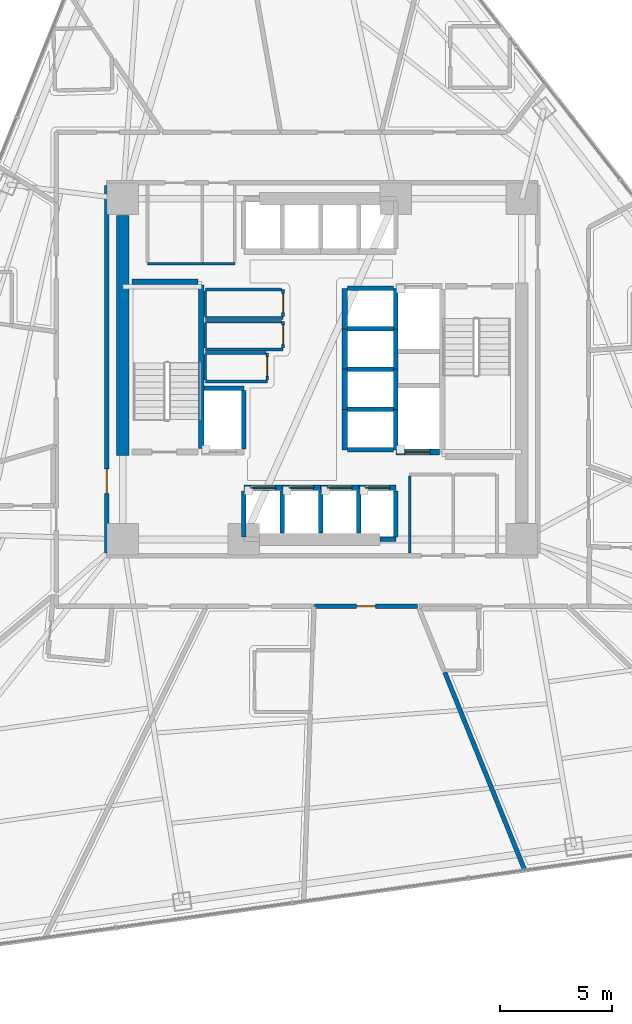
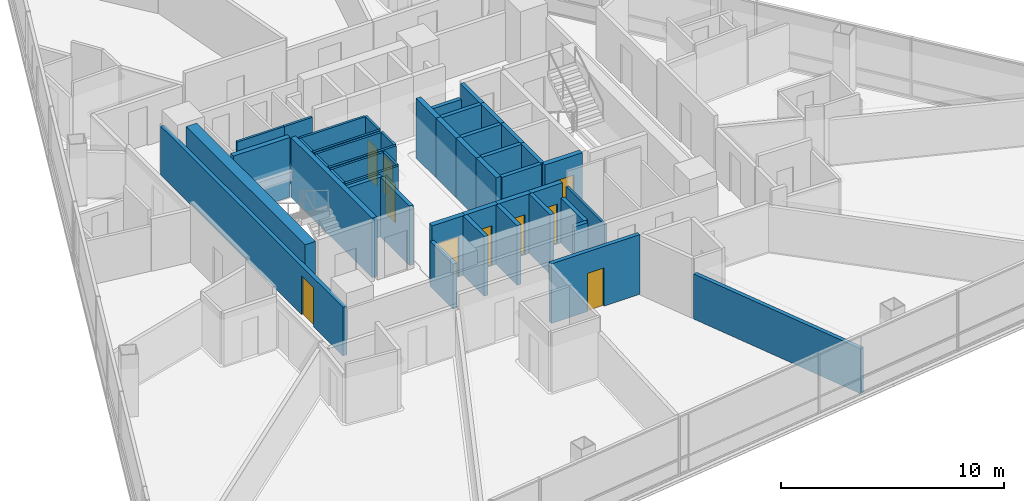
# One storey, part 8 of 16: 47 walls, 10 doors, 10 openings.
"""IFC4 building model written with IfcOpenShell, lengths in metres."""

from ifc_helpers import new_model, si_unit, direction, frame, frame_2d, origin, place, context, subcontext, project, spatial, rectangle, extrude, material, layer, layer_set, type_object, element, fill, save


model = new_model("IFC4")

# Units and contexts
model_context = context("Model", 3, precision=1e-05, world=origin(), true_north=direction((0.0, 1.0)))
body_context = subcontext(model_context, "Body", "Model", "MODEL_VIEW")
ifc_project = project(units=[si_unit("LENGTHUNIT", "METRE"), si_unit("AREAUNIT", "SQUARE_METRE"), si_unit("VOLUMEUNIT", "CUBIC_METRE"), si_unit("PLANEANGLEUNIT", "RADIAN"), si_unit("MASSUNIT", "GRAM", prefix="KILO")], contexts=[model_context])

# Site, building, storey
site_placement = place(None, origin())
site = spatial("IfcSite", under=ifc_project, at=site_placement, CompositionType="ELEMENT")
building_placement = place(site_placement, origin())
building = spatial("IfcBuilding", under=site, at=building_placement, Name="Tharavind Bronze Gate", CompositionType="ELEMENT")
storey_placement = place(building_placement, frame((0.0, 0.0, 70.75)))
storey = spatial("IfcBuildingStorey", under=building, at=storey_placement, Name="L17", CompositionType="ELEMENT", Elevation=70.75)

# Wall, opening, door
ifc_material_1 = material(Name="Aerated Concrete Block", Category="concrete")
ifc_layer_1 = layer(ifc_material_1, 0.199951171875)
ifc_layer_set_1 = layer_set([ifc_layer_1], Name="Aerated Concrete Block")
wall_type_1 = type_object("IfcWallType", Name="FIRE RATED PARTITION 200", PredefinedType="PARTITIONING", material=ifc_layer_set_1)
wall_1_placement = place(storey_placement, frame((-9.6201171875, 8.199951171875, 0.0), z_axis=(0.0, 0.0, 1.0), x_axis=(0.0, -1.0, 0.0)))
wall_1 = element("IfcWall", 1, at=wall_1_placement, inside=storey, type_object=wall_type_1, Name="L17 west core corridor wall", PredefinedType="PARTITIONING", context=body_context, shape_type="SweptSolid", body=[
    extrude(rectangle(XDim=16.39990234375, YDim=0.199951171875, at=frame_2d((8.199951171875, 0.0))), origin(), (0.0, 0.0, 1.0), 2.669921875),
])
opening_1_placement = place(wall_1_placement, frame((12.64990234375, 0.0, 0.0)))
opening_1 = element("IfcOpeningElement", 2, at=opening_1_placement, cuts=wall_1, Name="Opening ID01", PredefinedType="OPENING", context=body_context, shape_type="SweptSolid", body=[
    extrude(rectangle(XDim=1.10009765625, YDim=2.14990234375, at=frame_2d((0.550048828125, 1.074951171875))), frame((0.0, 0.11009765625, 0.0), z_axis=(0.0, -1.0, 0.0), x_axis=(1.0, 0.0, 0.0)), (0.0, 0.0, 1.0), 0.219951171875),
])
ifc_material_2 = material(Name="Fire-Rated Steel", Category="steel")
door_type_1 = type_object("IfcDoorType", Name="STAIR CORE FIRE DOOR 1100X2150", OperationType="SINGLE_SWING_LEFT", PredefinedType="DOOR", material=ifc_material_2)
door_1_placement = place(opening_1_placement, frame((1.10009765625, 0.0, 0.0), z_axis=(0.0, 0.0, 1.0), x_axis=(-1.0, 0.0, 0.0)))
door_1 = element("IfcDoor", 3, at=door_1_placement, inside=storey, type_object=door_type_1, Name="L17 south west stair lobby fire door", OperationType="SINGLE_SWING_LEFT", OverallHeight=2.14990234375, OverallWidth=1.10009765625, PredefinedType="DOOR", context=body_context, shape_type="SweptSolid", body=[
    extrude(rectangle(XDim=1.10009765625, YDim=2.14990234375, at=frame_2d((0.550048828125, 1.074951171875))), frame((0.0, 0.02490234375, 0.0), z_axis=(0.0, -1.0, 0.0), x_axis=(1.0, 0.0, 0.0)), (0.0, 0.0, 1.0), 0.050048828125),
])
fill(opening_1, door_1)

wall_2_placement = place(storey_placement, frame((-0.34521484375, -10.580078125, 0.0), z_axis=(0.0, 0.0, 1.0), x_axis=(1.0, 0.0, 0.0)))
wall_2 = element("IfcWall", 4, at=wall_2_placement, inside=storey, type_object=wall_type_1, Name="L17 Public Restrooms Block partition", PredefinedType="PARTITIONING", context=body_context, shape_type="SweptSolid", body=[
    extrude(rectangle(XDim=4.60302734375, YDim=0.199951171875, at=frame_2d((2.301513671875, 0.0))), origin(), (0.0, 0.0, 1.0), 3.27490234375),
])
opening_2_placement = place(wall_2_placement, frame((1.8759765625, 0.0, 0.0)))
opening_2 = element("IfcOpeningElement", 5, at=opening_2_placement, cuts=wall_2, Name="Opening ID06", PredefinedType="OPENING", context=body_context, shape_type="SweptSolid", body=[
    extrude(rectangle(XDim=0.85009765625, YDim=2.10009765625, at=frame_2d((0.425048828125, 1.050048828125))), frame((0.0, 0.11009765625, 0.0), z_axis=(0.0, -1.0, 0.0), x_axis=(1.0, 0.0, 0.0)), (0.0, 0.0, 1.0), 0.219951171875),
])
ifc_material_3 = material(Name="Moisture-Resistant Timber", Category="wood")
door_type_2 = type_object("IfcDoorType", Name="BATHROOM PRIVACY DOOR 850X2100", OperationType="SINGLE_SWING_RIGHT", PredefinedType="DOOR", material=ifc_material_3)
door_2_placement = place(opening_2_placement, origin())
door_2 = element("IfcDoor", 6, at=door_2_placement, inside=storey, type_object=door_type_2, Name="L17 Public Restrooms Block door", OperationType="SINGLE_SWING_RIGHT", OverallHeight=2.10009765625, OverallWidth=0.85009765625, PredefinedType="DOOR", context=body_context, shape_type="SweptSolid", body=[
    extrude(rectangle(XDim=0.85009765625, YDim=2.10009765625, at=frame_2d((0.425048828125, 1.050048828125))), frame((0.0, 0.02490234375, 0.0), z_axis=(0.0, -1.0, 0.0), x_axis=(1.0, 0.0, 0.0)), (0.0, 0.0, 1.0), 0.050048828125),
])
fill(opening_2, door_2)

# Walls
wall_3_placement = place(storey_placement, frame((5.466552734375, -13.530029296875, 0.0), z_axis=(0.0, 0.0, 1.0), x_axis=(0.374604987926, -0.927184503225, 0.0)))
element("IfcWall", 7, at=wall_3_placement, inside=storey, type_object=wall_type_1, Name="L17 Public Restrooms Block partition", PredefinedType="PARTITIONING", context=body_context, shape_type="SweptSolid", body=[
    extrude(rectangle(XDim=9.52685546875, YDim=0.199951171875, at=frame_2d((4.763427734375, 0.0))), origin(), (0.0, 0.0, 1.0), 2.469970703125),
])
ifc_material_4 = material(Name="Metal Stud Gypsum Partition", Category="gypsum")
ifc_layer_2 = layer(ifc_material_4, 0.1201171875)
ifc_layer_set_2 = layer_set([ifc_layer_2], Name="Metal Stud Gypsum Partition")
wall_type_2 = type_object("IfcWallType", Name="INTERIOR PARTITION WALL 120", PredefinedType="PARTITIONING", material=ifc_layer_set_2)
wall_4_placement = place(storey_placement, frame((-5.219970703125, 2.280029296875, 0.0), z_axis=(0.0, 0.0, 1.0), x_axis=(1.0, 0.0, 0.0)))
element("IfcWall", 8, at=wall_4_placement, inside=storey, type_object=wall_type_2, Name="L17 Housekeeping Linen Store partition 1", PredefinedType="PARTITIONING", context=body_context, shape_type="SweptSolid", body=[
    extrude(rectangle(XDim=3.469970703125, YDim=0.1201171875, at=frame_2d((1.73486328125, 0.0))), origin(), (0.0, 0.0, 1.0), 3.27490234375),
])

# Wall, opening, door
wall_5_placement = place(storey_placement, frame((-1.75, 2.344970703125, 0.0), z_axis=(0.0, 0.0, 1.0), x_axis=(0.0, 1.0, 0.0)))
wall_5 = element("IfcWall", 9, at=wall_5_placement, inside=storey, type_object=wall_type_2, Name="L17 Housekeeping Linen Store partition 2", PredefinedType="PARTITIONING", context=body_context, shape_type="SweptSolid", body=[
    extrude(rectangle(XDim=1.205078125, YDim=0.1201171875, at=frame_2d((0.6025390625, 0.0))), origin(), (0.0, 0.0, 1.0), 3.27490234375),
])
opening_3_placement = place(wall_5_placement, frame((0.177001953125, 0.0, 0.0)))
opening_3 = element("IfcOpeningElement", 10, at=opening_3_placement, cuts=wall_5, Name="Opening ID06", PredefinedType="OPENING", context=body_context, shape_type="SweptSolid", body=[
    extrude(rectangle(XDim=0.85009765625, YDim=2.10009765625, at=frame_2d((0.425048828125, 1.050048828125))), frame((0.0, 0.07005859375, 0.0), z_axis=(0.0, -1.0, 0.0), x_axis=(1.0, 0.0, 0.0)), (0.0, 0.0, 1.0), 0.1401171875),
])
door_3_placement = place(opening_3_placement, frame((0.85009765625, 0.0, 0.0), z_axis=(0.0, 0.0, 1.0), x_axis=(-1.0, 0.0, 0.0)))
door_3 = element("IfcDoor", 11, at=door_3_placement, inside=storey, type_object=door_type_2, Name="L17 Housekeeping Linen Store door", OperationType="SINGLE_SWING_RIGHT", OverallHeight=2.10009765625, OverallWidth=0.85009765625, PredefinedType="DOOR", context=body_context, shape_type="SweptSolid", body=[
    extrude(rectangle(XDim=0.85009765625, YDim=2.10009765625, at=frame_2d((0.425048828125, 1.050048828125))), frame((0.0, 0.02490234375, 0.0), z_axis=(0.0, -1.0, 0.0), x_axis=(1.0, 0.0, 0.0)), (0.0, 0.0, 1.0), 0.050048828125),
])
fill(opening_3, door_3)

# Walls
wall_6_placement = place(storey_placement, frame((-1.81494140625, 3.550048828125, 0.0), z_axis=(0.0, 0.0, 1.0), x_axis=(-1.0, 0.0, 0.0)))
element("IfcWall", 12, at=wall_6_placement, inside=storey, type_object=wall_type_2, Name="L17 Housekeeping Linen Store partition 3", PredefinedType="PARTITIONING", context=body_context, shape_type="SweptSolid", body=[
    extrude(rectangle(XDim=3.405029296875, YDim=0.1201171875, at=frame_2d((1.70263671875, 0.0))), origin(), (0.0, 0.0, 1.0), 3.27490234375),
])
wall_7_placement = place(storey_placement, frame((-5.219970703125, 3.485107421875, 0.0), z_axis=(0.0, 0.0, 1.0), x_axis=(0.0, -1.0, 0.0)))
element("IfcWall", 13, at=wall_7_placement, inside=storey, type_object=wall_type_2, Name="L17 Housekeeping Linen Store partition 4", PredefinedType="PARTITIONING", context=body_context, shape_type="SweptSolid", body=[
    extrude(rectangle(XDim=1.14013671875, YDim=0.1201171875, at=frame_2d((0.570068359375, 0.0))), origin(), (0.0, 0.0, 1.0), 3.27490234375),
])
wall_8_placement = place(storey_placement, frame((-5.219970703125, 0.8798828125, 0.0), z_axis=(0.0, 0.0, 1.0), x_axis=(1.0, 0.0, 0.0)))
element("IfcWall", 14, at=wall_8_placement, inside=storey, type_object=wall_type_2, Name="L17 Comms Data Room partition 1", PredefinedType="PARTITIONING", context=body_context, shape_type="SweptSolid", body=[
    extrude(rectangle(XDim=3.469970703125, YDim=0.1201171875, at=frame_2d((1.73486328125, 0.0))), origin(), (0.0, 0.0, 1.0), 3.27490234375),
])

# Wall, opening, door
wall_9_placement = place(storey_placement, frame((-1.75, 0.945068359375, 0.0), z_axis=(0.0, 0.0, 1.0), x_axis=(0.0, 1.0, 0.0)))
wall_9 = element("IfcWall", 15, at=wall_9_placement, inside=storey, type_object=wall_type_2, Name="L17 Comms Data Room partition 2", PredefinedType="PARTITIONING", context=body_context, shape_type="SweptSolid", body=[
    extrude(rectangle(XDim=1.175048828125, YDim=0.1201171875, at=frame_2d((0.58740234375, 0.0))), origin(), (0.0, 0.0, 1.0), 3.27490234375),
])
opening_4_placement = place(wall_9_placement, frame((0.1630859375, 0.0, 0.0)))
opening_4 = element("IfcOpeningElement", 16, at=opening_4_placement, cuts=wall_9, Name="Opening ID06", PredefinedType="OPENING", context=body_context, shape_type="SweptSolid", body=[
    extrude(rectangle(XDim=0.85009765625, YDim=2.10009765625, at=frame_2d((0.425048828125, 1.050048828125))), frame((0.0, 0.07005859375, 0.0), z_axis=(0.0, -1.0, 0.0), x_axis=(1.0, 0.0, 0.0)), (0.0, 0.0, 1.0), 0.1401171875),
])
door_4_placement = place(opening_4_placement, frame((0.85009765625, 0.0, 0.0), z_axis=(0.0, 0.0, 1.0), x_axis=(-1.0, 0.0, 0.0)))
door_4 = element("IfcDoor", 17, at=door_4_placement, inside=storey, type_object=door_type_2, Name="L17 Comms Data Room door", OperationType="SINGLE_SWING_RIGHT", OverallHeight=2.10009765625, OverallWidth=0.85009765625, PredefinedType="DOOR", context=body_context, shape_type="SweptSolid", body=[
    extrude(rectangle(XDim=0.85009765625, YDim=2.10009765625, at=frame_2d((0.425048828125, 1.050048828125))), frame((0.0, 0.02490234375, 0.0), z_axis=(0.0, -1.0, 0.0), x_axis=(1.0, 0.0, 0.0)), (0.0, 0.0, 1.0), 0.050048828125),
])
fill(opening_4, door_4)

# Walls
wall_10_placement = place(storey_placement, frame((-1.81494140625, 2.1201171875, 0.0), z_axis=(0.0, 0.0, 1.0), x_axis=(-1.0, 0.0, 0.0)))
element("IfcWall", 18, at=wall_10_placement, inside=storey, type_object=wall_type_2, Name="L17 Comms Data Room partition 3", PredefinedType="PARTITIONING", context=body_context, shape_type="SweptSolid", body=[
    extrude(rectangle(XDim=3.405029296875, YDim=0.1201171875, at=frame_2d((1.70263671875, 0.0))), origin(), (0.0, 0.0, 1.0), 3.27490234375),
])
wall_11_placement = place(storey_placement, frame((-5.219970703125, 2.054931640625, 0.0), z_axis=(0.0, 0.0, 1.0), x_axis=(0.0, -1.0, 0.0)))
element("IfcWall", 19, at=wall_11_placement, inside=storey, type_object=wall_type_2, Name="L17 Comms Data Room partition 4", PredefinedType="PARTITIONING", context=body_context, shape_type="SweptSolid", body=[
    extrude(rectangle(XDim=1.10986328125, YDim=0.1201171875, at=frame_2d((0.554931640625, 0.0))), origin(), (0.0, 0.0, 1.0), 3.27490234375),
])
wall_12_placement = place(storey_placement, frame((-5.219970703125, -0.550048828125, 0.0), z_axis=(0.0, 0.0, 1.0), x_axis=(1.0, 0.0, 0.0)))
element("IfcWall", 20, at=wall_12_placement, inside=storey, type_object=wall_type_2, Name="L17 Electrical Metering Store partition 1", PredefinedType="PARTITIONING", context=body_context, shape_type="SweptSolid", body=[
    extrude(rectangle(XDim=2.77001953125, YDim=0.1201171875, at=frame_2d((1.385009765625, 0.0))), origin(), (0.0, 0.0, 1.0), 3.27490234375),
])

# Wall, opening, door
wall_13_placement = place(storey_placement, frame((-2.449951171875, -0.485107421875, 0.0), z_axis=(0.0, 0.0, 1.0), x_axis=(0.0, 1.0, 0.0)))
wall_13 = element("IfcWall", 21, at=wall_13_placement, inside=storey, type_object=wall_type_2, Name="L17 Electrical Metering Store partition 2", PredefinedType="PARTITIONING", context=body_context, shape_type="SweptSolid", body=[
    extrude(rectangle(XDim=1.205078125, YDim=0.1201171875, at=frame_2d((0.6025390625, 0.0))), origin(), (0.0, 0.0, 1.0), 3.27490234375),
])
opening_5_placement = place(wall_13_placement, frame((0.177978515625, 0.0, 0.0)))
opening_5 = element("IfcOpeningElement", 22, at=opening_5_placement, cuts=wall_13, Name="Opening ID06", PredefinedType="OPENING", context=body_context, shape_type="SweptSolid", body=[
    extrude(rectangle(XDim=0.85009765625, YDim=2.10009765625, at=frame_2d((0.425048828125, 1.050048828125))), frame((0.0, 0.07005859375, 0.0), z_axis=(0.0, -1.0, 0.0), x_axis=(1.0, 0.0, 0.0)), (0.0, 0.0, 1.0), 0.1401171875),
])
door_5_placement = place(opening_5_placement, frame((0.85009765625, 0.0, 0.0), z_axis=(0.0, 0.0, 1.0), x_axis=(-1.0, 0.0, 0.0)))
door_5 = element("IfcDoor", 23, at=door_5_placement, inside=storey, type_object=door_type_2, Name="L17 Electrical Metering Store door", OperationType="SINGLE_SWING_RIGHT", OverallHeight=2.10009765625, OverallWidth=0.85009765625, PredefinedType="DOOR", context=body_context, shape_type="SweptSolid", body=[
    extrude(rectangle(XDim=0.85009765625, YDim=2.10009765625, at=frame_2d((0.425048828125, 1.050048828125))), frame((0.0, 0.02490234375, 0.0), z_axis=(0.0, -1.0, 0.0), x_axis=(1.0, 0.0, 0.0)), (0.0, 0.0, 1.0), 0.050048828125),
])
fill(opening_5, door_5)

# Walls
wall_14_placement = place(storey_placement, frame((-2.514892578125, 0.719970703125, 0.0), z_axis=(0.0, 0.0, 1.0), x_axis=(-1.0, 0.0, 0.0)))
element("IfcWall", 24, at=wall_14_placement, inside=storey, type_object=wall_type_2, Name="L17 Electrical Metering Store partition 3", PredefinedType="PARTITIONING", context=body_context, shape_type="SweptSolid", body=[
    extrude(rectangle(XDim=2.705078125, YDim=0.1201171875, at=frame_2d((1.3525390625, 0.0))), origin(), (0.0, 0.0, 1.0), 3.27490234375),
])
wall_15_placement = place(storey_placement, frame((-5.219970703125, 0.655029296875, 0.0), z_axis=(0.0, 0.0, 1.0), x_axis=(0.0, -1.0, 0.0)))
element("IfcWall", 25, at=wall_15_placement, inside=storey, type_object=wall_type_2, Name="L17 Electrical Metering Store partition 4", PredefinedType="PARTITIONING", context=body_context, shape_type="SweptSolid", body=[
    extrude(rectangle(XDim=1.14013671875, YDim=0.1201171875, at=frame_2d((0.570068359375, 0.0))), origin(), (0.0, 0.0, 1.0), 3.27490234375),
])
wall_16_placement = place(storey_placement, frame((-7.800048828125, 4.699951171875, 0.0), z_axis=(0.0, 0.0, 1.0), x_axis=(1.0, 0.0, 0.0)))
element("IfcWall", 26, at=wall_16_placement, inside=storey, type_object=wall_type_2, Name="L17 Electrical Metering Room partition 1", PredefinedType="PARTITIONING", context=body_context, shape_type="SweptSolid", body=[
    extrude(rectangle(XDim=2.449951171875, YDim=0.1201171875, at=frame_2d((1.22509765625, 0.0))), origin(), (0.0, 0.0, 1.0), 3.27490234375),
])
wall_17_placement = place(storey_placement, frame((-5.35009765625, 4.699951171875, 0.0), z_axis=(0.0, 0.0, 1.0), x_axis=(1.0, 0.0, 0.0)))
element("IfcWall", 27, at=wall_17_placement, inside=storey, type_object=wall_type_2, Name="L17 Linen Cupboard partition 1", PredefinedType="PARTITIONING", context=body_context, shape_type="SweptSolid", body=[
    extrude(rectangle(XDim=1.4501953125, YDim=0.1201171875, at=frame_2d((0.72509765625, 0.0))), origin(), (0.0, 0.0, 1.0), 3.27490234375),
])
wall_18_placement = place(storey_placement, frame((3.89990234375, -4.764892578125, 0.0), z_axis=(0.0, 0.0, 1.0), x_axis=(0.0, -1.0, 0.0)))
element("IfcWall", 28, at=wall_18_placement, inside=storey, type_object=wall_type_2, Name="L17 Comms Patch Room partition 4", PredefinedType="PARTITIONING", context=body_context, shape_type="SweptSolid", body=[
    extrude(rectangle(XDim=3.4501953125, YDim=0.1201171875, at=frame_2d((1.72509765625, 0.0))), origin(), (0.0, 0.0, 1.0), 2.469970703125),
])
ifc_material_5 = material(Name="Concrete C50/60", Category="concrete")
ifc_layer_3 = layer(ifc_material_5, 0.25)
ifc_layer_set_3 = layer_set([ifc_layer_3], Name="Concrete C50/60")
wall_type_3 = type_object("IfcWallType", Name="RC CORE SHEAR WALL 250", PredefinedType="SHEAR", material=ifc_layer_set_3)
wall_19_placement = place(storey_placement, frame((-5.39990234375, -3.550048828125, 0.0), z_axis=(0.0, 0.0, 1.0), x_axis=(0.0, 1.0, 0.0)))
element("IfcWall", 29, at=wall_19_placement, inside=storey, type_object=wall_type_3, Name="L17 ST1 shaft east wall", PredefinedType="SHEAR", context=body_context, shape_type="SweptSolid", body=[
    extrude(rectangle(XDim=7.300048828125, YDim=0.25, at=frame_2d((3.64990234375, 0.0))), origin(), (0.0, 0.0, 1.0), 3.27490234375),
])
wall_20_placement = place(storey_placement, frame((-8.5, 3.89990234375, 0.0), z_axis=(0.0, 0.0, 1.0), x_axis=(1.0, 0.0, 0.0)))
element("IfcWall", 30, at=wall_20_placement, inside=storey, type_object=wall_type_3, Name="L17 ST1 shaft north wall", PredefinedType="SHEAR", context=body_context, shape_type="SweptSolid", body=[
    extrude(rectangle(XDim=2.949951171875, YDim=0.25, at=frame_2d((1.47509765625, 0.0))), origin(), (0.0, 0.0, 1.0), 3.27490234375),
])

# Wall, opening, door
wall_21_placement = place(storey_placement, frame((-3.5, -5.300048828125, 0.0), z_axis=(0.0, 0.0, 1.0), x_axis=(1.0, 0.0, 0.0)))
wall_21 = element("IfcWall", 31, at=wall_21_placement, inside=storey, type_object=wall_type_3, Name="L17 lift PL1 shaft front wall", PredefinedType="SHEAR", context=body_context, shape_type="SweptSolid", body=[
    extrude(rectangle(XDim=1.71240234375, YDim=0.25, at=frame_2d((0.856201171875, 0.0))), origin(), (0.0, 0.0, 1.0), 3.27490234375),
])
opening_6_placement = place(wall_21_placement, frame((0.305908203125, 0.0, 0.0)))
opening_6 = element("IfcOpeningElement", 32, at=opening_6_placement, cuts=wall_21, Name="Opening LD01", PredefinedType="OPENING", context=body_context, shape_type="SweptSolid", body=[
    extrude(rectangle(XDim=1.10009765625, YDim=2.199951171875, at=frame_2d((0.550048828125, 1.10009765625))), frame((0.0, 0.135, 0.0), z_axis=(0.0, -1.0, 0.0), x_axis=(1.0, 0.0, 0.0)), (0.0, 0.0, 1.0), 0.27),
])
ifc_material_6 = material(Name="Brushed Bronze Stainless Steel", Category="steel")
door_type_3 = type_object("IfcDoorType", Name="LIFT LANDING SLIDING DOOR 1100X2200", OperationType="SLIDING_TO_LEFT", PredefinedType="DOOR", material=ifc_material_6)
door_6_placement = place(opening_6_placement, origin())
door_6 = element("IfcDoor", 33, at=door_6_placement, inside=storey, type_object=door_type_3, Name="L17 lift PL1 sliding landing door", OperationType="SLIDING_TO_LEFT", OverallHeight=2.199951171875, OverallWidth=1.10009765625, PredefinedType="DOOR", context=body_context, shape_type="SweptSolid", body=[
    extrude(rectangle(XDim=1.10009765625, YDim=2.199951171875, at=frame_2d((0.550048828125, 1.10009765625))), frame((0.0, 0.02490234375, 0.0), z_axis=(0.0, -1.0, 0.0), x_axis=(1.0, 0.0, 0.0)), (0.0, 0.0, 1.0), 0.050048828125),
])
fill(opening_6, door_6)

wall_22_placement = place(storey_placement, frame((-1.78759765625, -5.300048828125, 0.0), z_axis=(0.0, 0.0, 1.0), x_axis=(1.0, 0.0, 0.0)))
wall_22 = element("IfcWall", 34, at=wall_22_placement, inside=storey, type_object=wall_type_3, Name="L17 lift PL2 shaft front wall", PredefinedType="SHEAR", context=body_context, shape_type="SweptSolid", body=[
    extrude(rectangle(XDim=1.712646484375, YDim=0.25, at=frame_2d((0.8564453125, 0.0))), origin(), (0.0, 0.0, 1.0), 3.27490234375),
])
opening_7_placement = place(wall_22_placement, frame((0.305908203125, 0.0, 0.0)))
opening_7 = element("IfcOpeningElement", 35, at=opening_7_placement, cuts=wall_22, Name="Opening LD01", PredefinedType="OPENING", context=body_context, shape_type="SweptSolid", body=[
    extrude(rectangle(XDim=1.10009765625, YDim=2.199951171875, at=frame_2d((0.550048828125, 1.10009765625))), frame((0.0, 0.135, 0.0), z_axis=(0.0, -1.0, 0.0), x_axis=(1.0, 0.0, 0.0)), (0.0, 0.0, 1.0), 0.27),
])
door_7_placement = place(opening_7_placement, origin())
door_7 = element("IfcDoor", 36, at=door_7_placement, inside=storey, type_object=door_type_3, Name="L17 lift PL2 sliding landing door", OperationType="SLIDING_TO_LEFT", OverallHeight=2.199951171875, OverallWidth=1.10009765625, PredefinedType="DOOR", context=body_context, shape_type="SweptSolid", body=[
    extrude(rectangle(XDim=1.10009765625, YDim=2.199951171875, at=frame_2d((0.550048828125, 1.10009765625))), frame((0.0, 0.02490234375, 0.0), z_axis=(0.0, -1.0, 0.0), x_axis=(1.0, 0.0, 0.0)), (0.0, 0.0, 1.0), 0.050048828125),
])
fill(opening_7, door_7)

wall_23_placement = place(storey_placement, frame((-0.074951171875, -5.300048828125, 0.0), z_axis=(0.0, 0.0, 1.0), x_axis=(1.0, 0.0, 0.0)))
wall_23 = element("IfcWall", 37, at=wall_23_placement, inside=storey, type_object=wall_type_3, Name="L17 lift PL3 shaft front wall", PredefinedType="SHEAR", context=body_context, shape_type="SweptSolid", body=[
    extrude(rectangle(XDim=1.71240234375, YDim=0.25, at=frame_2d((0.856201171875, 0.0))), origin(), (0.0, 0.0, 1.0), 3.27490234375),
])
opening_8_placement = place(wall_23_placement, frame((0.305908203125, 0.0, 0.0)))
opening_8 = element("IfcOpeningElement", 38, at=opening_8_placement, cuts=wall_23, Name="Opening LD01", PredefinedType="OPENING", context=body_context, shape_type="SweptSolid", body=[
    extrude(rectangle(XDim=1.10009765625, YDim=2.199951171875, at=frame_2d((0.550048828125, 1.10009765625))), frame((0.0, 0.135, 0.0), z_axis=(0.0, -1.0, 0.0), x_axis=(1.0, 0.0, 0.0)), (0.0, 0.0, 1.0), 0.27),
])
door_8_placement = place(opening_8_placement, origin())
door_8 = element("IfcDoor", 39, at=door_8_placement, inside=storey, type_object=door_type_3, Name="L17 lift PL3 sliding landing door", OperationType="SLIDING_TO_LEFT", OverallHeight=2.199951171875, OverallWidth=1.10009765625, PredefinedType="DOOR", context=body_context, shape_type="SweptSolid", body=[
    extrude(rectangle(XDim=1.10009765625, YDim=2.199951171875, at=frame_2d((0.550048828125, 1.10009765625))), frame((0.0, 0.02490234375, 0.0), z_axis=(0.0, -1.0, 0.0), x_axis=(1.0, 0.0, 0.0)), (0.0, 0.0, 1.0), 0.050048828125),
])
fill(opening_8, door_8)

wall_24_placement = place(storey_placement, frame((1.637451171875, -5.300048828125, 0.0), z_axis=(0.0, 0.0, 1.0), x_axis=(1.0, 0.0, 0.0)))
wall_24 = element("IfcWall", 40, at=wall_24_placement, inside=storey, type_object=wall_type_3, Name="L17 lift PL4 shaft front wall", PredefinedType="SHEAR", context=body_context, shape_type="SweptSolid", body=[
    extrude(rectangle(XDim=1.642578125, YDim=0.25, at=frame_2d((0.8212890625, 0.0))), origin(), (0.0, 0.0, 1.0), 3.27490234375),
])
opening_9_placement = place(wall_24_placement, frame((0.27099609375, 0.0, 0.0)))
opening_9 = element("IfcOpeningElement", 41, at=opening_9_placement, cuts=wall_24, Name="Opening LD01", PredefinedType="OPENING", context=body_context, shape_type="SweptSolid", body=[
    extrude(rectangle(XDim=1.10009765625, YDim=2.199951171875, at=frame_2d((0.550048828125, 1.10009765625))), frame((0.0, 0.135, 0.0), z_axis=(0.0, -1.0, 0.0), x_axis=(1.0, 0.0, 0.0)), (0.0, 0.0, 1.0), 0.27),
])
door_9_placement = place(opening_9_placement, origin())
door_9 = element("IfcDoor", 42, at=door_9_placement, inside=storey, type_object=door_type_3, Name="L17 lift PL4 sliding landing door", OperationType="SLIDING_TO_LEFT", OverallHeight=2.199951171875, OverallWidth=1.10009765625, PredefinedType="DOOR", context=body_context, shape_type="SweptSolid", body=[
    extrude(rectangle(XDim=1.10009765625, YDim=2.199951171875, at=frame_2d((0.550048828125, 1.10009765625))), frame((0.0, 0.02490234375, 0.0), z_axis=(0.0, -1.0, 0.0), x_axis=(1.0, 0.0, 0.0)), (0.0, 0.0, 1.0), 0.050048828125),
])
fill(opening_9, door_9)

# Walls
for number, where, z_axis, x_axis, name in (
    (43, (1.0, -3.60009765625, 0.0), (0.0, 0.0, 1.0), (0.0, 1.0, 0.0), "L17 lift PL9 shaft front wall"),
    (44, (1.0, -1.800048828125, 0.0), (0.0, 0.0, 1.0), (0.0, 1.0, 0.0), "L17 lift PL10 shaft front wall"),
    (45, (1.0, 0.0, 0.0), (0.0, 0.0, 1.0), (0.0, 1.0, 0.0), "L17 lift PL11 shaft front wall"),
    (46, (1.0, 1.800048828125, 0.0), (0.0, 0.0, 1.0), (0.0, 1.0, 0.0), "L17 lift PL12 shaft front wall"),
):
    element("IfcWall", number, at=place(storey_placement, frame(where, z_axis=z_axis, x_axis=x_axis)), inside=storey, type_object=wall_type_3, Name=name, PredefinedType="SHEAR", context=body_context, shape_type="SweptSolid", body=[
        extrude(rectangle(XDim=1.800048828125, YDim=0.25, at=frame_2d((0.89990234375, 0.0))), origin(), (0.0, 0.0, 1.0), 3.27490234375),
    ])

# Wall, opening, door
wall_25_placement = place(storey_placement, frame((3.280029296875, -3.699951171875, 0.0), z_axis=(0.0, 0.0, 1.0), x_axis=(1.0, 0.0, 0.0)))
wall_25 = element("IfcWall", 47, at=wall_25_placement, inside=storey, type_object=wall_type_3, Name="L17 lift SVL1 shaft front wall", PredefinedType="SHEAR", context=body_context, shape_type="SweptSolid", body=[
    extrude(rectangle(XDim=1.93994140625, YDim=0.25, at=frame_2d((0.969970703125, 0.0))), origin(), (0.0, 0.0, 1.0), 3.27490234375),
])
opening_10_placement = place(wall_25_placement, frame((0.419921875, 0.0, 0.0)))
opening_10 = element("IfcOpeningElement", 48, at=opening_10_placement, cuts=wall_25, Name="Opening LD01", PredefinedType="OPENING", context=body_context, shape_type="SweptSolid", body=[
    extrude(rectangle(XDim=1.10009765625, YDim=2.199951171875, at=frame_2d((0.550048828125, 1.10009765625))), frame((0.0, 0.135, 0.0), z_axis=(0.0, -1.0, 0.0), x_axis=(1.0, 0.0, 0.0)), (0.0, 0.0, 1.0), 0.27),
])
door_10_placement = place(opening_10_placement, origin())
door_10 = element("IfcDoor", 49, at=door_10_placement, inside=storey, type_object=door_type_3, Name="L17 lift SVL1 sliding landing door", OperationType="SLIDING_TO_LEFT", OverallHeight=2.199951171875, OverallWidth=1.10009765625, PredefinedType="DOOR", context=body_context, shape_type="SweptSolid", body=[
    extrude(rectangle(XDim=1.10009765625, YDim=2.199951171875, at=frame_2d((0.550048828125, 1.10009765625))), frame((0.0, 0.02490234375, 0.0), z_axis=(0.0, -1.0, 0.0), x_axis=(1.0, 0.0, 0.0)), (0.0, 0.0, 1.0), 0.050048828125),
])
fill(opening_10, door_10)

# Walls
ifc_material_7 = material(Name="Concrete C60/75", Category="concrete")
ifc_layer_4 = layer(ifc_material_7, 0.550048828125)
ifc_layer_set_4 = layer_set([ifc_layer_4], Name="Concrete C60/75")
wall_type_4 = type_object("IfcWallType", Name="RC CORE SHEAR WALL 550", PredefinedType="SHEAR", material=ifc_layer_set_4)
wall_26_placement = place(storey_placement, frame((-8.89990234375, -3.85009765625, 0.0), z_axis=(0.0, 0.0, 1.0), x_axis=(0.0, 1.0, 0.0)))
element("IfcWall", 50, at=wall_26_placement, inside=storey, type_object=wall_type_4, Name="L17 west core shear wall", PredefinedType="SHEAR", context=body_context, shape_type="SweptSolid", body=[
    extrude(rectangle(XDim=10.7001953125, YDim=0.550048828125, at=frame_2d((5.35009765625, 0.0))), origin(), (0.0, 0.0, 1.0), 3.27490234375),
])
ifc_material_8 = material(Name="Concrete C40/50", Category="concrete")
ifc_layer_5 = layer(ifc_material_8, 0.199951171875)
ifc_layer_set_5 = layer_set([ifc_layer_5], Name="Concrete C40/50")
wall_type_5 = type_object("IfcWallType", Name="SHAFT ENCLOSURE WALL 200", PredefinedType="PARTITIONING", material=ifc_layer_set_5)
wall_27_placement = place(storey_placement, frame((-3.5, -7.4951171875, 0.0), z_axis=(0.0, 0.0, 1.0), x_axis=(0.0, 1.0, 0.0)))
element("IfcWall", 51, at=wall_27_placement, inside=storey, type_object=wall_type_5, Name="L17 lift PL1 shaft W enclosure wall", PredefinedType="PARTITIONING", context=body_context, shape_type="SweptSolid", body=[
    extrude(rectangle(XDim=2.065185546875, YDim=0.199951171875, at=frame_2d((1.03271484375, 0.0))), origin(), (0.0, 0.0, 1.0), 2.469970703125),
])
for number, where, z_axis, x_axis, name in (
    (52, (-1.78759765625, -7.320068359375, 0.0), (0.0, 0.0, 1.0), (0.0, 1.0, 0.0), "L17 lift PL1 shaft E enclosure wall"),
    (53, (-0.074951171875, -7.320068359375, 0.0), (0.0, 0.0, 1.0), (0.0, 1.0, 0.0), "L17 lift PL2 shaft E enclosure wall"),
    (54, (1.637451171875, -7.320068359375, 0.0), (0.0, 0.0, 1.0), (0.0, 1.0, 0.0), "L17 lift PL3 shaft E enclosure wall"),
):
    element("IfcWall", number, at=place(storey_placement, frame(where, z_axis=z_axis, x_axis=x_axis)), inside=storey, type_object=wall_type_5, Name=name, PredefinedType="PARTITIONING", context=body_context, shape_type="SweptSolid", body=[
        extrude(rectangle(XDim=1.89013671875, YDim=0.199951171875, at=frame_2d((0.945068359375, 0.0))), origin(), (0.0, 0.0, 1.0), 3.27490234375),
    ])
wall_28_placement = place(storey_placement, frame((2.580078125, -7.60009765625, 0.0), z_axis=(0.0, 0.0, 1.0), x_axis=(1.0, 0.0, 0.0)))
element("IfcWall", 55, at=wall_28_placement, inside=storey, type_object=wall_type_5, Name="L17 lift PL4 shaft S enclosure wall", PredefinedType="PARTITIONING", context=body_context, shape_type="SweptSolid", body=[
    extrude(rectangle(XDim=0.699951171875, YDim=0.199951171875, at=frame_2d((0.35009765625, 0.0))), origin(), (0.0, 0.0, 1.0), 2.469970703125),
])
wall_29_placement = place(storey_placement, frame((3.280029296875, -7.4951171875, 0.0), z_axis=(0.0, 0.0, 1.0), x_axis=(0.0, 1.0, 0.0)))
element("IfcWall", 56, at=wall_29_placement, inside=storey, type_object=wall_type_5, Name="L17 lift PL4 shaft E enclosure wall", PredefinedType="PARTITIONING", context=body_context, shape_type="SweptSolid", body=[
    extrude(rectangle(XDim=2.065185546875, YDim=0.199951171875, at=frame_2d((1.03271484375, 0.0))), origin(), (0.0, 0.0, 1.0), 2.469970703125),
])
wall_30_placement = place(storey_placement, frame((3.280029296875, -3.60009765625, 0.0), z_axis=(0.0, 0.0, 1.0), x_axis=(0.0, 1.0, 0.0)))
element("IfcWall", 57, at=wall_30_placement, inside=storey, type_object=wall_type_5, Name="L17 lift PL9 shaft E enclosure wall", PredefinedType="PARTITIONING", context=body_context, shape_type="SweptSolid", body=[
    extrude(rectangle(XDim=1.800048828125, YDim=0.199951171875, at=frame_2d((0.89990234375, 0.0))), origin(), (0.0, 0.0, 1.0), 3.27490234375),
])
for number, where, z_axis, x_axis, name in (
    (58, (1.1298828125, -3.60009765625, 0.0), (0.0, 0.0, 1.0), (1.0, 0.0, 0.0), "L17 lift PL9 shaft S enclosure wall"),
    (59, (1.1298828125, -1.800048828125, 0.0), (0.0, 0.0, 1.0), (1.0, 0.0, 0.0), "L17 lift PL9 shaft N enclosure wall"),
):
    element("IfcWall", number, at=place(storey_placement, frame(where, z_axis=z_axis, x_axis=x_axis)), inside=storey, type_object=wall_type_5, Name=name, PredefinedType="PARTITIONING", context=body_context, shape_type="SweptSolid", body=[
        extrude(rectangle(XDim=2.045166015625, YDim=0.199951171875, at=frame_2d((1.0224609375, 0.0))), origin(), (0.0, 0.0, 1.0), 3.27490234375),
    ])
wall_31_placement = place(storey_placement, frame((3.280029296875, -1.800048828125, 0.0), z_axis=(0.0, 0.0, 1.0), x_axis=(0.0, 1.0, 0.0)))
element("IfcWall", 60, at=wall_31_placement, inside=storey, type_object=wall_type_5, Name="L17 lift PL10 shaft E enclosure wall", PredefinedType="PARTITIONING", context=body_context, shape_type="SweptSolid", body=[
    extrude(rectangle(XDim=1.800048828125, YDim=0.199951171875, at=frame_2d((0.89990234375, 0.0))), origin(), (0.0, 0.0, 1.0), 3.27490234375),
])
wall_32_placement = place(storey_placement, frame((1.1298828125, 0.0, 0.0), z_axis=(0.0, 0.0, 1.0), x_axis=(1.0, 0.0, 0.0)))
element("IfcWall", 61, at=wall_32_placement, inside=storey, type_object=wall_type_5, Name="L17 lift PL10 shaft N enclosure wall", PredefinedType="PARTITIONING", context=body_context, shape_type="SweptSolid", body=[
    extrude(rectangle(XDim=2.045166015625, YDim=0.199951171875, at=frame_2d((1.0224609375, 0.0))), origin(), (0.0, 0.0, 1.0), 3.27490234375),
])
wall_33_placement = place(storey_placement, frame((3.280029296875, 0.0, 0.0), z_axis=(0.0, 0.0, 1.0), x_axis=(0.0, 1.0, 0.0)))
element("IfcWall", 62, at=wall_33_placement, inside=storey, type_object=wall_type_5, Name="L17 lift PL11 shaft E enclosure wall", PredefinedType="PARTITIONING", context=body_context, shape_type="SweptSolid", body=[
    extrude(rectangle(XDim=1.800048828125, YDim=0.199951171875, at=frame_2d((0.89990234375, 0.0))), origin(), (0.0, 0.0, 1.0), 3.27490234375),
])
wall_34_placement = place(storey_placement, frame((1.1298828125, 1.800048828125, 0.0), z_axis=(0.0, 0.0, 1.0), x_axis=(1.0, 0.0, 0.0)))
element("IfcWall", 63, at=wall_34_placement, inside=storey, type_object=wall_type_5, Name="L17 lift PL11 shaft N enclosure wall", PredefinedType="PARTITIONING", context=body_context, shape_type="SweptSolid", body=[
    extrude(rectangle(XDim=2.045166015625, YDim=0.199951171875, at=frame_2d((1.0224609375, 0.0))), origin(), (0.0, 0.0, 1.0), 3.27490234375),
])
wall_35_placement = place(storey_placement, frame((3.280029296875, 1.800048828125, 0.0), z_axis=(0.0, 0.0, 1.0), x_axis=(0.0, 1.0, 0.0)))
element("IfcWall", 64, at=wall_35_placement, inside=storey, type_object=wall_type_5, Name="L17 lift PL12 shaft E enclosure wall", PredefinedType="PARTITIONING", context=body_context, shape_type="SweptSolid", body=[
    extrude(rectangle(XDim=1.800048828125, YDim=0.199951171875, at=frame_2d((0.89990234375, 0.0))), origin(), (0.0, 0.0, 1.0), 3.27490234375),
])
wall_36_placement = place(storey_placement, frame((1.1298828125, 3.60009765625, 0.0), z_axis=(0.0, 0.0, 1.0), x_axis=(1.0, 0.0, 0.0)))
element("IfcWall", 65, at=wall_36_placement, inside=storey, type_object=wall_type_5, Name="L17 lift PL12 shaft N enclosure wall", PredefinedType="PARTITIONING", context=body_context, shape_type="SweptSolid", body=[
    extrude(rectangle(XDim=2.045166015625, YDim=0.199951171875, at=frame_2d((1.0224609375, 0.0))), origin(), (0.0, 0.0, 1.0), 2.469970703125),
])
wall_37_placement = place(storey_placement, frame((-5.27001953125, -0.85009765625, 0.0), z_axis=(0.0, 0.0, 1.0), x_axis=(1.0, 0.0, 0.0)))
element("IfcWall", 66, at=wall_37_placement, inside=storey, type_object=wall_type_5, Name="L17 lift FFL1 shaft N enclosure wall", PredefinedType="PARTITIONING", context=body_context, shape_type="SweptSolid", body=[
    extrude(rectangle(XDim=1.77001953125, YDim=0.199951171875, at=frame_2d((0.885009765625, 0.0))), origin(), (0.0, 0.0, 1.0), 3.27490234375),
])
wall_38_placement = place(storey_placement, frame((-3.5, -3.570068359375, 0.0), z_axis=(0.0, 0.0, 1.0), x_axis=(0.0, 1.0, 0.0)))
element("IfcWall", 67, at=wall_38_placement, inside=storey, type_object=wall_type_5, Name="L17 lift FFL1 shaft E enclosure wall", PredefinedType="PARTITIONING", context=body_context, shape_type="SweptSolid", body=[
    extrude(rectangle(XDim=2.614990234375, YDim=0.199951171875, at=frame_2d((1.3076171875, 0.0))), origin(), (0.0, 0.0, 1.0), 3.27490234375),
])

save(model, "model.ifc")
